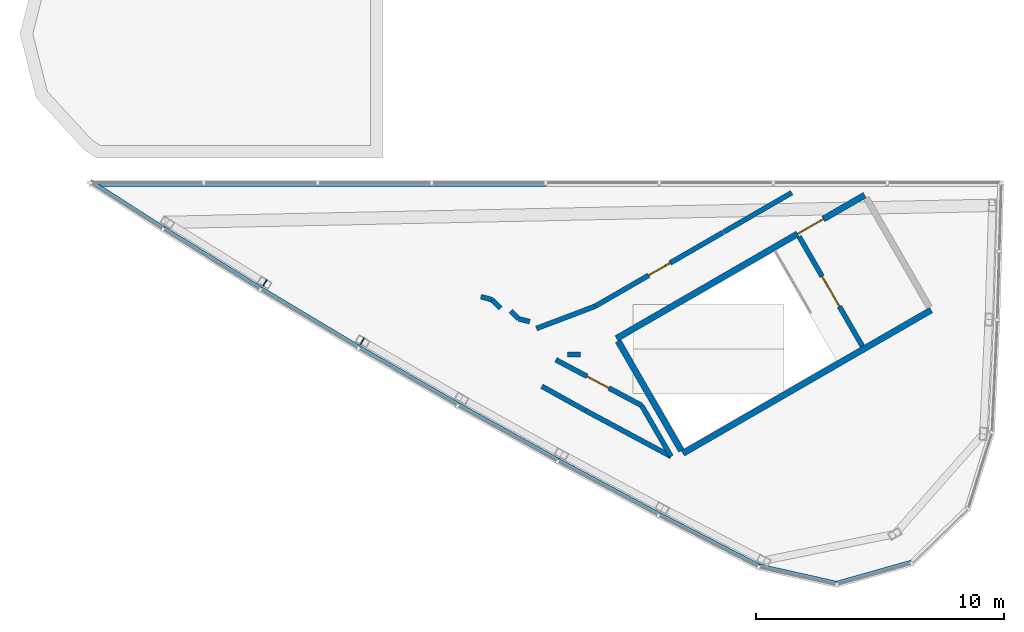
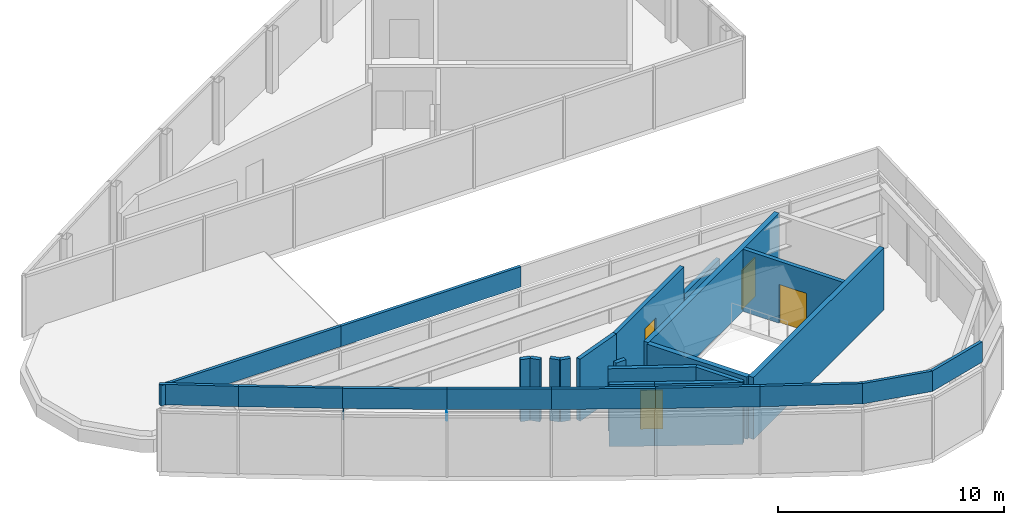
# One storey, part 5 of 7: 27 walls, 4 doors, 2 plates, 4 openings.
"""IFC4 building model written with IfcOpenShell, lengths in metres."""

from ifc_helpers import new_model, si_unit, direction, frame, frame_2d, origin, origin_2d, place, context, subcontext, project, spatial, rectangle, extrude, material, layer, layer_set, type_object, element, fill, save


model = new_model("IFC4")

# Units and contexts
model_context = context("Model", 3, precision=1e-05, world=origin(), true_north=direction((0.0, 1.0)))
body_context = subcontext(model_context, "Body", "Model", "MODEL_VIEW")
ifc_project = project(units=[si_unit("LENGTHUNIT", "METRE"), si_unit("AREAUNIT", "SQUARE_METRE"), si_unit("VOLUMEUNIT", "CUBIC_METRE"), si_unit("PLANEANGLEUNIT", "RADIAN"), si_unit("MASSUNIT", "GRAM", prefix="KILO")], contexts=[model_context])

# Site, building, storey
site_placement = place(None, origin())
site = spatial("IfcSite", under=ifc_project, at=site_placement, CompositionType="ELEMENT")
building_placement = place(site_placement, origin())
building = spatial("IfcBuilding", under=site, at=building_placement, Name="Tamra Quay Hotel Tower", CompositionType="ELEMENT")
storey_placement = place(building_placement, frame((0.0, 0.0, 335.0)))
storey = spatial("IfcBuildingStorey", under=building, at=storey_placement, Name="Roof crown 5", CompositionType="ELEMENT", Elevation=335.0)

# Plates
ifc_material_1 = material(Name="Structural steel IS 2062 E350", Category="steel")
ifc_layer_1 = layer(ifc_material_1, 0.0400390625)
ifc_layer_set_1 = layer_set([ifc_layer_1], Name="CROWN BEAM END PLATE 40")
plate_type = type_object("IfcPlateType", Name="CROWN BEAM END PLATE 40", PredefinedType="SHEET", material=ifc_layer_set_1)
for number, where, z_axis, x_axis, name in (
    (1, (-9.829345703125, -12.377685546875, 2.85009765625), (0.0, 0.0, 1.0), (0.866026276448, -0.4999984885, 0.0), "CF-B-EP00S"),
    (2, (-13.748291015625, -10.03271484375, 2.85009765625), (0.0, 0.0, 1.0), (0.849984651178, -0.526807453214, 0.0), "CF-B-EP09E"),
):
    element("IfcPlate", number, at=place(storey_placement, frame(where, z_axis=z_axis, x_axis=x_axis)), inside=storey, type_object=plate_type, Name=name, PredefinedType="SHEET", context=body_context, shape_type="SweptSolid", body=[
        extrude(rectangle(XDim=0.0400390625, YDim=0.300048828125, at=origin_2d()), origin(), (0.0, 0.0, 1.0), 0.5),
    ])

# Wall, opening, door
ifc_material_2 = material(Name="Concrete M70", Category="concrete")
ifc_layer_2 = layer(ifc_material_2, 0.199951171875)
ifc_layer_set_2 = layer_set([ifc_layer_2], Name="Concrete M70 core wall 200")
wall_type_1 = type_object("IfcWallType", Name="Concrete M70 core wall 200", PredefinedType="SHEAR", material=ifc_layer_set_2)
wall_1_placement = place(storey_placement, frame((7.776611328125, -8.16943359375, 0.0), z_axis=(0.0, 0.0, 1.0), x_axis=(0.500007101845, -0.866021303493, 0.0)))
wall_1 = element("IfcWall", 3, at=wall_1_placement, inside=storey, type_object=wall_type_1, Name="CW2", PredefinedType="SHEAR", context=body_context, shape_type="SweptSolid", body=[
    extrude(rectangle(XDim=5.09814453125, YDim=0.199951171875, at=frame_2d((2.549072265625, 0.0))), origin(), (0.0, 0.0, 1.0), 3.35009765625),
])
opening_1_placement = place(wall_1_placement, frame((1.84912109375, 0.0, 0.0)))
opening_1 = element("IfcOpeningElement", 4, at=opening_1_placement, cuts=wall_1, Name="Opening FD2", PredefinedType="OPENING", context=body_context, shape_type="SweptSolid", body=[
    extrude(rectangle(XDim=1.39990234375, YDim=2.10009765625, at=frame_2d((0.699951171875, 1.050048828125))), frame((0.0, 0.10986328125, 0.0), z_axis=(0.0, -1.0, 0.0), x_axis=(1.0, 0.0, 0.0)), (0.0, 0.0, 1.0), 0.219970703125),
])
ifc_material_3 = material(Name="Core door FD2 1400x2100 RH")
door_type_1 = type_object("IfcDoorType", Name="Core door FD2 1400x2100 RH", OperationType="NOTDEFINED", PredefinedType="DOOR", material=ifc_material_3)
door_1_placement = place(opening_1_placement, origin())
door_1 = element("IfcDoor", 5, at=door_1_placement, inside=storey, type_object=door_type_1, Name="FD2", OperationType="SINGLE_SWING_RIGHT", OverallHeight=2.10009765625, OverallWidth=1.39990234375, PredefinedType="DOOR", context=body_context, shape_type="SweptSolid", body=[
    extrude(rectangle(XDim=1.39990234375, YDim=2.10009765625, at=frame_2d((0.699951171875, 1.050048828125))), frame((0.0, 0.02490234375, 0.0), z_axis=(0.0, -1.0, 0.0), x_axis=(1.0, 0.0, 0.0)), (0.0, 0.0, 1.0), 0.050048828125),
])
fill(opening_1, door_1)

ifc_layer_3 = layer(ifc_material_2, 0.25)
ifc_layer_set_3 = layer_set([ifc_layer_3], Name="Concrete M70 core wall 250")
wall_type_2 = type_object("IfcWallType", Name="Concrete M70 core wall 250", PredefinedType="SHEAR", material=ifc_layer_set_3)
wall_2_placement = place(storey_placement, frame((0.417236328125, -12.27294921875, 0.0), z_axis=(0.0, 0.0, 1.0), x_axis=(0.866021906294, 0.500006057782, 0.0)))
wall_2 = element("IfcWall", 6, at=wall_2_placement, inside=storey, type_object=wall_type_2, Name="CW1", PredefinedType="SHEAR", context=body_context, shape_type="SweptSolid", body=[
    extrude(rectangle(XDim=11.550048828125, YDim=0.25, at=frame_2d((5.77490234375, 0.0))), origin(), (0.0, 0.0, 1.0), 3.35009765625),
])
opening_2_placement = place(wall_2_placement, frame((8.42529296875, 0.0, 0.0)))
opening_2 = element("IfcOpeningElement", 7, at=opening_2_placement, cuts=wall_2, Name="Opening FD1", PredefinedType="OPENING", context=body_context, shape_type="SweptSolid", body=[
    extrude(rectangle(XDim=1.199951171875, YDim=2.10009765625, at=frame_2d((0.60009765625, 1.050048828125))), frame((0.0, 0.135009765625, 0.0), z_axis=(0.0, -1.0, 0.0), x_axis=(1.0, 0.0, 0.0)), (0.0, 0.0, 1.0), 0.27001953125),
])
ifc_material_4 = material(Name="Core door FD1 1200x2100 LH")
door_type_2 = type_object("IfcDoorType", Name="Core door FD1 1200x2100 LH", OperationType="NOTDEFINED", PredefinedType="DOOR", material=ifc_material_4)
door_2_placement = place(opening_2_placement, origin())
door_2 = element("IfcDoor", 8, at=door_2_placement, inside=storey, type_object=door_type_2, Name="FD1", OperationType="SINGLE_SWING_LEFT", OverallHeight=2.10009765625, OverallWidth=1.199951171875, PredefinedType="DOOR", context=body_context, shape_type="SweptSolid", body=[
    extrude(rectangle(XDim=1.199951171875, YDim=2.10009765625, at=frame_2d((0.60009765625, 1.050048828125))), frame((0.0, 0.02490234375, 0.0), z_axis=(0.0, -1.0, 0.0), x_axis=(1.0, 0.0, 0.0)), (0.0, 0.0, 1.0), 0.050048828125),
])
fill(opening_2, door_2)

# Walls
wall_3_placement = place(storey_placement, frame((13.094970703125, -11.131103515625, 0.0), z_axis=(0.0, 0.0, 1.0), x_axis=(-0.866031059098, -0.499990204581, 0.0)))
element("IfcWall", 9, at=wall_3_placement, inside=storey, type_object=wall_type_2, Name="CW1", PredefinedType="SHEAR", context=body_context, shape_type="SweptSolid", body=[
    extrude(rectangle(XDim=11.550048828125, YDim=0.25, at=frame_2d((5.77490234375, 0.0))), origin(), (0.0, 0.0, 1.0), 3.35009765625),
])
wall_4_placement = place(storey_placement, frame((3.029541015625, -16.797607421875, 0.0), z_axis=(0.0, 0.0, 1.0), x_axis=(-0.499975258871, 0.866039687611, 0.0)))
element("IfcWall", 10, at=wall_4_placement, inside=storey, type_object=wall_type_2, Name="CW1", PredefinedType="SHEAR", context=body_context, shape_type="SweptSolid", body=[
    extrude(rectangle(XDim=5.099365234375, YDim=0.25, at=frame_2d((2.5498046875, 0.0))), origin(), (0.0, 0.0, 1.0), 3.35009765625),
])
ifc_material_5 = material(Name="Reinforced concrete M60 with render", Category="concrete")
ifc_layer_4 = layer(ifc_material_5, 0.14990234375)
ifc_layer_set_4 = layer_set([ifc_layer_4], Name="PARAPET WALL 150")
wall_type_3 = type_object("IfcWallType", Name="PARAPET WALL 150", PredefinedType="PARAPET", material=ifc_layer_set_4)
for number, where, z_axis, x_axis, name in (
    (11, (-11.630126953125, -6.074951171875, 3.60009765625), (0.0, 0.0, 1.0), (1.0, 0.0, 0.0), "PW0"),
    (12, (-20.815673828125, -6.074951171875, 3.60009765625), (0.0, 0.0, 1.0), (1.0, 0.0, 0.0), "PW0"),
):
    element("IfcWall", number, at=place(storey_placement, frame(where, z_axis=z_axis, x_axis=x_axis)), inside=storey, type_object=wall_type_3, Name=name, PredefinedType="PARAPET", context=body_context, shape_type="SweptSolid", body=[
        extrude(rectangle(XDim=9.185546875, YDim=0.14990234375, at=frame_2d((4.5927734375, 0.0))), origin(), (0.0, 0.0, 1.0), 1.099853515625),
    ])
wall_5_placement = place(storey_placement, frame((-17.827392578125, -7.828125, 3.60009765625), z_axis=(0.0, 0.0, 1.0), x_axis=(-0.841649248516, 0.540024575804, 0.0)))
element("IfcWall", 13, at=wall_5_placement, inside=storey, type_object=wall_type_3, Name="PW0", PredefinedType="PARAPET", context=body_context, shape_type="SweptSolid", body=[
    extrude(rectangle(XDim=3.50244140625, YDim=0.14990234375, at=frame_2d((1.751220703125, 0.0))), origin(), (0.0, 0.0, 1.0), 1.099853515625),
])
wall_6_placement = place(storey_placement, frame((-13.907958984375, -10.25732421875, 3.60009765625), z_axis=(0.0, 0.0, 1.0), x_axis=(-0.849972851582, 0.526826490957, 0.0)))
element("IfcWall", 14, at=wall_6_placement, inside=storey, type_object=wall_type_3, Name="PW0", PredefinedType="PARAPET", context=body_context, shape_type="SweptSolid", body=[
    extrude(rectangle(XDim=4.6123046875, YDim=0.14990234375, at=frame_2d((2.30615234375, 0.0))), origin(), (0.0, 0.0, 1.0), 1.099853515625),
])
for number, where, z_axis, x_axis, name in (
    (15, (-9.950927734375, -12.625, 3.60009765625), (0.0, 0.0, 1.0), (-0.858104130082, 0.51347570725, 0.0), "PW0"),
    (16, (-5.957275390625, -14.930908203125, 3.60009765625), (0.0, 0.0, 1.0), (-0.866016353143, 0.500015675843, 0.0), "PW0"),
):
    element("IfcWall", number, at=place(storey_placement, frame(where, z_axis=z_axis, x_axis=x_axis)), inside=storey, type_object=wall_type_3, Name=name, PredefinedType="PARAPET", context=body_context, shape_type="SweptSolid", body=[
        extrude(rectangle(XDim=4.612548828125, YDim=0.14990234375, at=frame_2d((2.30615234375, 0.0))), origin(), (0.0, 0.0, 1.0), 1.099853515625),
    ])
wall_7_placement = place(storey_placement, frame((-1.927978515625, -17.173828125, 3.60009765625), z_axis=(0.0, 0.0, 1.0), x_axis=(-0.873732521064, 0.486406703936, 0.0)))
element("IfcWall", 17, at=wall_7_placement, inside=storey, type_object=wall_type_3, Name="PW0", PredefinedType="PARAPET", context=body_context, shape_type="SweptSolid", body=[
    extrude(rectangle(XDim=4.61279296875, YDim=0.14990234375, at=frame_2d((2.306396484375, 0.0))), origin(), (0.0, 0.0, 1.0), 1.099853515625),
])
wall_8_placement = place(storey_placement, frame((2.135498046875, -19.353515625, 3.60009765625), z_axis=(0.0, 0.0, 1.0), x_axis=(-0.881228032768, 0.472691394319, 0.0)))
element("IfcWall", 18, at=wall_8_placement, inside=storey, type_object=wall_type_3, Name="PW0", PredefinedType="PARAPET", context=body_context, shape_type="SweptSolid", body=[
    extrude(rectangle(XDim=4.6123046875, YDim=0.14990234375, at=frame_2d((2.30615234375, 0.0))), origin(), (0.0, 0.0, 1.0), 1.099853515625),
])
wall_9_placement = place(storey_placement, frame((6.16845703125, -21.4365234375, 3.60009765625), z_axis=(0.0, 0.0, 1.0), x_axis=(-0.888489126647, 0.458897670326, 0.0)))
element("IfcWall", 19, at=wall_9_placement, inside=storey, type_object=wall_type_3, Name="PW0", PredefinedType="PARAPET", context=body_context, shape_type="SweptSolid", body=[
    extrude(rectangle(XDim=4.540283203125, YDim=0.14990234375, at=frame_2d((2.27001953125, 0.0))), origin(), (0.0, 0.0, 1.0), 1.099853515625),
])
wall_10_placement = place(storey_placement, frame((9.3046875, -22.137451171875, 3.60009765625), z_axis=(0.0, 0.0, 1.0), x_axis=(-0.975755106139, 0.218865193312, 0.0)))
element("IfcWall", 20, at=wall_10_placement, inside=storey, type_object=wall_type_3, Name="PW0", PredefinedType="PARAPET", context=body_context, shape_type="SweptSolid", body=[
    extrude(rectangle(XDim=3.232666015625, YDim=0.14990234375, at=frame_2d((1.6162109375, 0.0))), origin(), (0.0, 0.0, 1.0), 1.099853515625),
])
wall_11_placement = place(storey_placement, frame((12.306884765625, -21.279296875, 3.60009765625), z_axis=(0.0, 0.0, 1.0), x_axis=(-0.962287409599, -0.272034816387, 0.0)))
element("IfcWall", 21, at=wall_11_placement, inside=storey, type_object=wall_type_3, Name="PW0", PredefinedType="PARAPET", context=body_context, shape_type="SweptSolid", body=[
    extrude(rectangle(XDim=3.158203125, YDim=0.14990234375, at=frame_2d((1.5791015625, 0.0))), origin(), (0.0, 0.0, 1.0), 1.099853515625),
])
ifc_material_6 = material(Name="Partition corridor wall")
ifc_layer_5 = layer(ifc_material_6, 0.199951171875)
ifc_layer_set_5 = layer_set([ifc_layer_5], Name="Partition corridor wall")
wall_type_4 = type_object("IfcWallType", Name="Partition corridor wall", PredefinedType="PARTITIONING", material=ifc_layer_set_5)
wall_12_placement = place(storey_placement, frame((-5.0458984375, -10.592041015625, 0.0), z_axis=(0.0, 0.0, 1.0), x_axis=(0.96569741051, -0.259670004688, 0.0)))
element("IfcWall", 22, at=wall_12_placement, inside=storey, type_object=wall_type_4, Name="W-C", PredefinedType="PARTITIONING", context=body_context, shape_type="SweptSolid", body=[
    extrude(rectangle(XDim=0.461669921875, YDim=0.199951171875, at=frame_2d((0.23095703125, 0.0))), origin(), (0.0, 0.0, 1.0), 3.35009765625),
])
wall_13_placement = place(storey_placement, frame((-4.60009765625, -10.7119140625, 0.0), z_axis=(0.0, 0.0, 1.0), x_axis=(0.706089362935, -0.708122737631, 0.0)))
element("IfcWall", 23, at=wall_13_placement, inside=storey, type_object=wall_type_4, Name="W-C", PredefinedType="PARTITIONING", context=body_context, shape_type="SweptSolid", body=[
    extrude(rectangle(XDim=0.480224609375, YDim=0.199951171875, at=frame_2d((0.240234375, 0.0))), origin(), (0.0, 0.0, 1.0), 3.35009765625),
])
wall_14_placement = place(storey_placement, frame((-3.847900390625, -11.162109375, 0.0), z_axis=(0.0, 0.0, 1.0), x_axis=(0.707106781187, -0.707106781187, 0.0)))
element("IfcWall", 24, at=wall_14_placement, inside=storey, type_object=wall_type_4, Name="W-C", PredefinedType="PARTITIONING", context=body_context, shape_type="SweptSolid", body=[
    extrude(rectangle(XDim=0.45361328125, YDim=0.199951171875, at=frame_2d((0.226806640625, 0.0))), origin(), (0.0, 0.0, 1.0), 3.35009765625),
])
wall_15_placement = place(storey_placement, frame((-3.527099609375, -11.48291015625, 0.0), z_axis=(0.0, 0.0, 1.0), x_axis=(0.968588268296, -0.248669995214, 0.0)))
element("IfcWall", 25, at=wall_15_placement, inside=storey, type_object=wall_type_4, Name="W-C", PredefinedType="PARTITIONING", context=body_context, shape_type="SweptSolid", body=[
    extrude(rectangle(XDim=0.45849609375, YDim=0.199951171875, at=frame_2d((0.229248046875, 0.0))), origin(), (0.0, 0.0, 1.0), 3.35009765625),
])
wall_16_placement = place(storey_placement, frame((-2.80908203125, -11.8720703125, 0.0), z_axis=(0.0, 0.0, 1.0), x_axis=(0.935199723424, 0.35412071008, 0.0)))
element("IfcWall", 26, at=wall_16_placement, inside=storey, type_object=wall_type_4, Name="W-C", PredefinedType="PARTITIONING", context=body_context, shape_type="SweptSolid", body=[
    extrude(rectangle(XDim=2.524658203125, YDim=0.199951171875, at=frame_2d((1.26220703125, 0.0))), origin(), (0.0, 0.0, 1.0), 3.35009765625),
])
wall_17_placement = place(storey_placement, frame((-2.592041015625, -14.200927734375, 0.0), z_axis=(0.0, 0.0, 1.0), x_axis=(0.873945023911, -0.486024788649, 0.0)))
element("IfcWall", 27, at=wall_17_placement, inside=storey, type_object=wall_type_4, Name="W-C", PredefinedType="PARTITIONING", context=body_context, shape_type="SweptSolid", body=[
    extrude(rectangle(XDim=2.00830078125, YDim=0.199951171875, at=frame_2d((1.004150390625, 0.0))), origin(), (0.0, 0.0, 1.0), 3.35009765625),
])

# Wall, opening, door
wall_18_placement = place(storey_placement, frame((-2.027099609375, -13.133056640625, 0.0), z_axis=(0.0, 0.0, 1.0), x_axis=(0.882478882939, -0.470352018351, 0.0)))
wall_18 = element("IfcWall", 28, at=wall_18_placement, inside=storey, type_object=wall_type_4, Name="W-C", PredefinedType="PARTITIONING", context=body_context, shape_type="SweptSolid", body=[
    extrude(rectangle(XDim=3.916259765625, YDim=0.199951171875, at=frame_2d((1.9580078125, 0.0))), origin(), (0.0, 0.0, 1.0), 3.35009765625),
])
opening_3_placement = place(wall_18_placement, frame((1.423828125, 0.0, 0.0)))
opening_3 = element("IfcOpeningElement", 29, at=opening_3_placement, cuts=wall_18, Name="Opening Roof crown 5-D004", PredefinedType="OPENING", context=body_context, shape_type="SweptSolid", body=[
    extrude(rectangle(XDim=1.0, YDim=2.10009765625, at=frame_2d((0.5, 1.050048828125))), frame((0.0, 0.10986328125, 0.0), z_axis=(0.0, -1.0, 0.0), x_axis=(1.0, 0.0, 0.0)), (0.0, 0.0, 1.0), 0.219970703125),
])
ifc_material_7 = material(Name="Door service room 1000x2100")
door_type_3 = type_object("IfcDoorType", Name="Door service room 1000x2100", OperationType="NOTDEFINED", PredefinedType="DOOR", material=ifc_material_7)
door_3_placement = place(opening_3_placement, origin())
door_3 = element("IfcDoor", 30, at=door_3_placement, inside=storey, type_object=door_type_3, Name="Roof crown 5-D004", OperationType="SINGLE_SWING_LEFT", OverallHeight=2.10009765625, OverallWidth=1.0, PredefinedType="DOOR", context=body_context, shape_type="SweptSolid", body=[
    extrude(rectangle(XDim=1.0, YDim=2.10009765625, at=frame_2d((0.5, 1.050048828125))), frame((0.0, 0.02490234375, 0.0), z_axis=(0.0, -1.0, 0.0), x_axis=(1.0, 0.0, 0.0)), (0.0, 0.0, 1.0), 0.050048828125),
])
fill(opening_3, door_3)

# Walls
wall_19_placement = place(storey_placement, frame((-1.553955078125, -12.9208984375, 0.0), z_axis=(0.0, 0.0, 1.0), x_axis=(0.999884030895, 0.015229076149, 0.0)))
element("IfcWall", 31, at=wall_19_placement, inside=storey, type_object=wall_type_4, Name="W-C", PredefinedType="PARTITIONING", context=body_context, shape_type="SweptSolid", body=[
    extrude(rectangle(XDim=0.512939453125, YDim=0.199951171875, at=frame_2d((0.25634765625, 0.0))), origin(), (0.0, 0.0, 1.0), 3.35009765625),
])
wall_20_placement = place(storey_placement, frame((-0.8369140625, -15.177001953125, 0.0), z_axis=(0.0, 0.0, 1.0), x_axis=(0.881180532924, -0.472779936541, 0.0)))
element("IfcWall", 32, at=wall_20_placement, inside=storey, type_object=wall_type_4, Name="W-C", PredefinedType="PARTITIONING", context=body_context, shape_type="SweptSolid", body=[
    extrude(rectangle(XDim=3.91748046875, YDim=0.199951171875, at=frame_2d((1.958740234375, 0.0))), origin(), (0.0, 0.0, 1.0), 3.35009765625),
])

# Wall, opening, door
wall_21_placement = place(storey_placement, frame((-0.447998046875, -10.97802734375, 0.0), z_axis=(0.0, 0.0, 1.0), x_axis=(0.866021919278, 0.500006035293, 0.0)))
wall_21 = element("IfcWall", 33, at=wall_21_placement, inside=storey, type_object=wall_type_4, Name="W-C", PredefinedType="PARTITIONING", context=body_context, shape_type="SweptSolid", body=[
    extrude(rectangle(XDim=5.9619140625, YDim=0.199951171875, at=frame_2d((2.98095703125, 0.0))), origin(), (0.0, 0.0, 1.0), 3.35009765625),
])
opening_4_placement = place(wall_21_placement, frame((2.49609375, 0.0, 0.0)))
opening_4 = element("IfcOpeningElement", 34, at=opening_4_placement, cuts=wall_21, Name="Opening Roof crown 5-D003", PredefinedType="OPENING", context=body_context, shape_type="SweptSolid", body=[
    extrude(rectangle(XDim=1.0, YDim=2.10009765625, at=frame_2d((0.5, 1.050048828125))), frame((0.0, 0.10986328125, 0.0), z_axis=(0.0, -1.0, 0.0), x_axis=(1.0, 0.0, 0.0)), (0.0, 0.0, 1.0), 0.219970703125),
])
door_4_placement = place(opening_4_placement, origin())
door_4 = element("IfcDoor", 35, at=door_4_placement, inside=storey, type_object=door_type_3, Name="Roof crown 5-D003", OperationType="SINGLE_SWING_LEFT", OverallHeight=2.10009765625, OverallWidth=1.0, PredefinedType="DOOR", context=body_context, shape_type="SweptSolid", body=[
    extrude(rectangle(XDim=1.0, YDim=2.10009765625, at=frame_2d((0.5, 1.050048828125))), frame((0.0, 0.02490234375, 0.0), z_axis=(0.0, -1.0, 0.0), x_axis=(1.0, 0.0, 0.0)), (0.0, 0.0, 1.0), 0.050048828125),
])
fill(opening_4, door_4)

# Walls
wall_22_placement = place(storey_placement, frame((1.428955078125, -14.97509765625, 0.0), z_axis=(0.0, 0.0, 1.0), x_axis=(0.500058068503, -0.865991875323, 0.0)))
element("IfcWall", 36, at=wall_22_placement, inside=storey, type_object=wall_type_4, Name="W-C", PredefinedType="PARTITIONING", context=body_context, shape_type="SweptSolid", body=[
    extrude(rectangle(XDim=2.371826171875, YDim=0.199951171875, at=frame_2d((1.18603515625, 0.0))), origin(), (0.0, 0.0, 1.0), 3.35009765625),
])
wall_23_placement = place(storey_placement, frame((4.748046875, -7.97802734375, 0.0), z_axis=(0.0, 0.0, 1.0), x_axis=(0.865996145265, 0.500050673818, 0.0)))
element("IfcWall", 37, at=wall_23_placement, inside=storey, type_object=wall_type_4, Name="W-C", PredefinedType="PARTITIONING", context=body_context, shape_type="SweptSolid", body=[
    extrude(rectangle(XDim=3.155029296875, YDim=0.199951171875, at=frame_2d((1.57763671875, 0.0))), origin(), (0.0, 0.0, 1.0), 1.85009765625),
])

save(model, "model.ifc")
